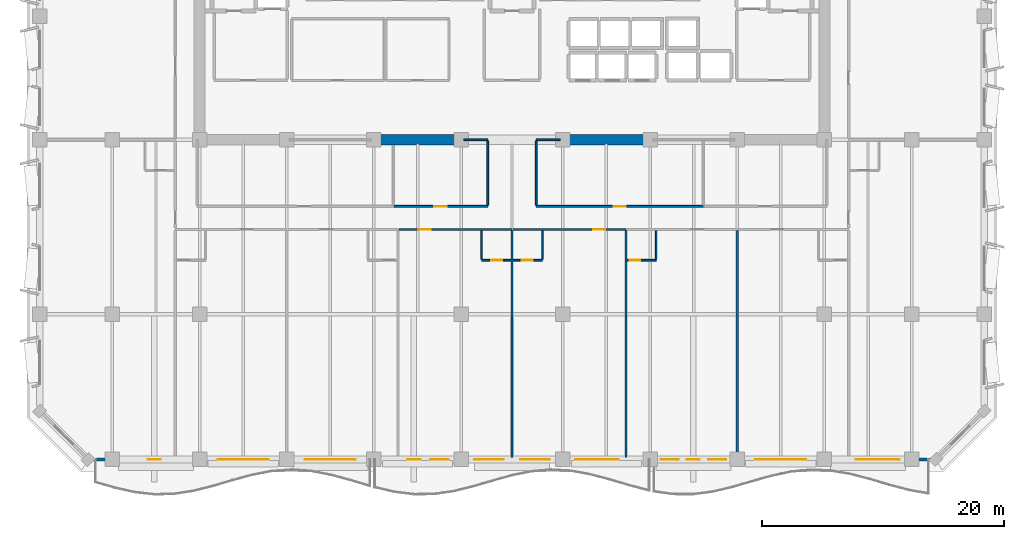
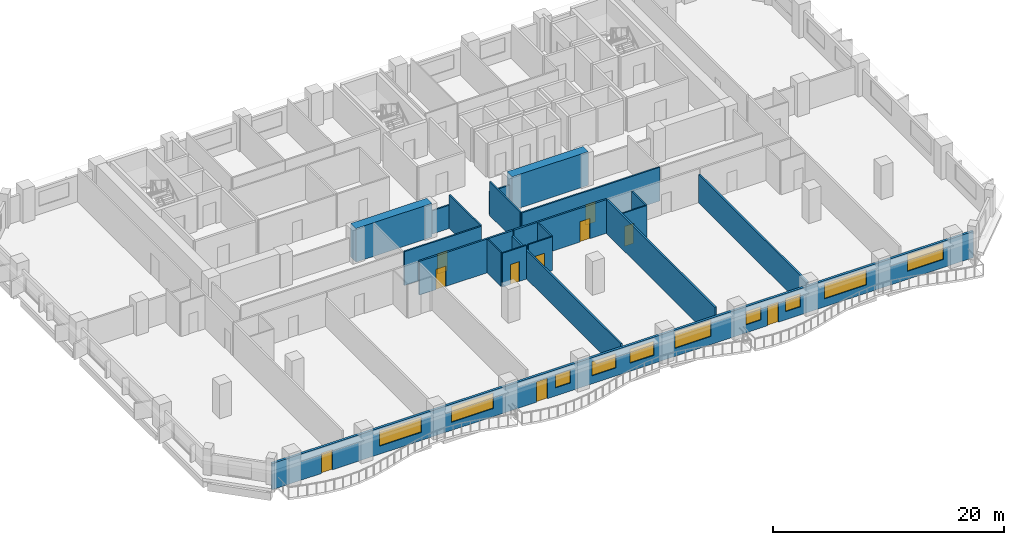
# One storey, part 5 of 14: 20 walls, 10 doors, 10 windows, 20 openings.
"""IFC4 building model written with IfcOpenShell, lengths in metres."""

from ifc_helpers import new_model, si_unit, direction, frame, frame_2d, origin, place, context, subcontext, project, spatial, rectangle, extrude, material, layer, layer_set, type_object, element, fill, save


model = new_model("IFC4")

# Units and contexts
model_context = context("Model", 3, precision=1e-05, world=origin(), true_north=direction((0.0, 1.0)))
body_context = subcontext(model_context, "Body", "Model", "MODEL_VIEW")
ifc_project = project(units=[si_unit("LENGTHUNIT", "METRE"), si_unit("AREAUNIT", "SQUARE_METRE"), si_unit("VOLUMEUNIT", "CUBIC_METRE"), si_unit("PLANEANGLEUNIT", "RADIAN"), si_unit("MASSUNIT", "GRAM", prefix="KILO")], contexts=[model_context])

# Site, building, storey
site_placement = place(None, origin())
site = spatial("IfcSite", under=ifc_project, at=site_placement, CompositionType="ELEMENT")
building_placement = place(site_placement, origin())
building = spatial("IfcBuilding", under=site, at=building_placement, Name="Kaelvorn Grand Hotel", CompositionType="ELEMENT")
storey_placement = place(building_placement, frame((0.0, 0.0, 190.14990234375)))
storey = spatial("IfcBuildingStorey", under=building, at=storey_placement, Name="L46", CompositionType="ELEMENT", Elevation=190.14990234375)

# Walls
ifc_material_1 = material(Name="Concrete C60/75", Category="concrete")
ifc_layer_1 = layer(ifc_material_1, 0.89990234375)
ifc_layer_set_1 = layer_set([ifc_layer_1], Name="Concrete C60/75")
wall_type_1 = type_object("IfcWallType", Name="WL-CORE-900-C60", PredefinedType="SHEAR", material=ifc_layer_set_1)
for number, where, z_axis, x_axis, name in (
    (1, (30.39990234375, 29.39990234375, 0.0), (0.0, 0.0, 1.0), (1.0, 0.0, 0.0), "L46 Rear-Core Coupled Shear Pier S2"),
    (2, (46.0, 29.39990234375, 0.0), (0.0, 0.0, 1.0), (1.0, 0.0, 0.0), "L46 Rear-Core Coupled Shear Pier S3"),
):
    element("IfcWall", number, at=place(storey_placement, frame(where, z_axis=z_axis, x_axis=x_axis)), inside=storey, type_object=wall_type_1, Name=name, PredefinedType="SHEAR", context=body_context, shape_type="SweptSolid", body=[
        extrude(rectangle(XDim=7.60009765625, YDim=0.89990234375, at=frame_2d((3.800048828125, 0.0))), origin(), (0.0, 0.0, 1.0), 3.56005859375),
    ])

# Wall, openings, doors, windows
ifc_material_2 = material(Name="Concrete C40/50", Category="concrete")
ifc_layer_2 = layer(ifc_material_2, 0.239990234375)
ifc_layer_set_2 = layer_set([ifc_layer_2], Name="Concrete C40/50")
wall_type_2 = type_object("IfcWallType", Name="WL-EXT-240-C40", PredefinedType="SOLIDWALL", material=ifc_layer_set_2)
wall_1_placement = place(storey_placement, frame((7.0, 3.0, 0.0), z_axis=(0.0, 0.0, 1.0), x_axis=(1.0, 0.0, 0.0)))
wall_1 = element("IfcWall", 3, at=wall_1_placement, inside=storey, type_object=wall_type_2, Name="L46 Exterior Architectural Concrete Wall 01", PredefinedType="SOLIDWALL", context=body_context, shape_type="SweptSolid", body=[
    extrude(rectangle(XDim=70.0, YDim=0.239990234375, at=frame_2d((35.0, 0.0))), origin(), (0.0, 0.0, 1.0), 2.760009765625),
])
opening_1_placement = place(wall_1_placement, frame((4.906982421875, 0.0, 0.0)))
opening_1 = element("IfcOpeningElement", 4, at=opening_1_placement, cuts=wall_1, Name="Opening DE2", PredefinedType="OPENING", context=body_context, shape_type="SweptSolid", body=[
    extrude(rectangle(XDim=1.10009765625, YDim=2.14990234375, at=frame_2d((0.550048828125, 1.074951171875))), frame((0.0, 0.1298828125, 0.0), z_axis=(0.0, -1.0, 0.0), x_axis=(1.0, 0.0, 0.0)), (0.0, 0.0, 1.0), 0.260009765625),
])
opening_2_placement = place(wall_1_placement, frame((26.354736328125, 0.0, 0.0)))
opening_2 = element("IfcOpeningElement", 5, at=opening_2_placement, cuts=wall_1, Name="Opening DE2", PredefinedType="OPENING", context=body_context, shape_type="SweptSolid", body=[
    extrude(rectangle(XDim=1.10009765625, YDim=2.14990234375, at=frame_2d((0.550048828125, 1.074951171875))), frame((0.0, 0.1298828125, 0.0), z_axis=(0.0, -1.0, 0.0), x_axis=(1.0, 0.0, 0.0)), (0.0, 0.0, 1.0), 0.260009765625),
])
opening_3_placement = place(wall_1_placement, frame((49.42138671875, 0.0, 0.0)))
opening_3 = element("IfcOpeningElement", 6, at=opening_3_placement, cuts=wall_1, Name="Opening DE2", PredefinedType="OPENING", context=body_context, shape_type="SweptSolid", body=[
    extrude(rectangle(XDim=1.10009765625, YDim=2.14990234375, at=frame_2d((0.550048828125, 1.074951171875))), frame((0.0, 0.1298828125, 0.0), z_axis=(0.0, -1.0, 0.0), x_axis=(1.0, 0.0, 0.0)), (0.0, 0.0, 1.0), 0.260009765625),
])
opening_4_placement = place(wall_1_placement, frame((10.699951171875, 0.0, 0.85009765625)))
opening_4 = element("IfcOpeningElement", 7, at=opening_4_placement, cuts=wall_1, Name="Opening W2", PredefinedType="OPENING", context=body_context, shape_type="SweptSolid", body=[
    extrude(rectangle(XDim=4.199951171875, YDim=1.64990234375, at=frame_2d((2.10009765625, 0.824951171875))), frame((0.0, 0.1298828125, 0.0), z_axis=(0.0, -1.0, 0.0), x_axis=(1.0, 0.0, 0.0)), (0.0, 0.0, 1.0), 0.260009765625),
])
opening_5_placement = place(wall_1_placement, frame((17.89990234375, 0.0, 0.85009765625)))
opening_5 = element("IfcOpeningElement", 8, at=opening_5_placement, cuts=wall_1, Name="Opening W2", PredefinedType="OPENING", context=body_context, shape_type="SweptSolid", body=[
    extrude(rectangle(XDim=4.199951171875, YDim=1.64990234375, at=frame_2d((2.10009765625, 0.824951171875))), frame((0.0, 0.1298828125, 0.0), z_axis=(0.0, -1.0, 0.0), x_axis=(1.0, 0.0, 0.0)), (0.0, 0.0, 1.0), 0.260009765625),
])
opening_6_placement = place(wall_1_placement, frame((28.262451171875, 0.0, 0.85009765625)))
opening_6 = element("IfcOpeningElement", 9, at=opening_6_placement, cuts=wall_1, Name="Opening W10", PredefinedType="OPENING", context=body_context, shape_type="SweptSolid", body=[
    extrude(rectangle(XDim=1.5, YDim=1.39990234375, at=frame_2d((0.75, 0.699951171875))), frame((0.0, 0.1298828125, 0.0), z_axis=(0.0, -1.0, 0.0), x_axis=(1.0, 0.0, 0.0)), (0.0, 0.0, 1.0), 0.260009765625),
])
opening_7_placement = place(wall_1_placement, frame((31.89990234375, 0.0, 0.85009765625)))
opening_7 = element("IfcOpeningElement", 10, at=opening_7_placement, cuts=wall_1, Name="Opening W6", PredefinedType="OPENING", context=body_context, shape_type="SweptSolid", body=[
    extrude(rectangle(XDim=2.39990234375, YDim=1.5, at=frame_2d((1.199951171875, 0.75))), frame((0.0, 0.1298828125, 0.0), z_axis=(0.0, -1.0, 0.0), x_axis=(1.0, 0.0, 0.0)), (0.0, 0.0, 1.0), 0.260009765625),
])
opening_8_placement = place(wall_1_placement, frame((35.699951171875, 0.0, 0.85009765625)))
opening_8 = element("IfcOpeningElement", 11, at=opening_8_placement, cuts=wall_1, Name="Opening W6", PredefinedType="OPENING", context=body_context, shape_type="SweptSolid", body=[
    extrude(rectangle(XDim=2.39990234375, YDim=1.5, at=frame_2d((1.199951171875, 0.75))), frame((0.0, 0.1298828125, 0.0), z_axis=(0.0, -1.0, 0.0), x_axis=(1.0, 0.0, 0.0)), (0.0, 0.0, 1.0), 0.260009765625),
])
opening_9_placement = place(wall_1_placement, frame((40.20458984375, 0.0, 0.85009765625)))
opening_9 = element("IfcOpeningElement", 12, at=opening_9_placement, cuts=wall_1, Name="Opening W3", PredefinedType="OPENING", context=body_context, shape_type="SweptSolid", body=[
    extrude(rectangle(XDim=3.60009765625, YDim=1.75, at=frame_2d((1.800048828125, 0.875))), frame((0.0, 0.1298828125, 0.0), z_axis=(0.0, -1.0, 0.0), x_axis=(1.0, 0.0, 0.0)), (0.0, 0.0, 1.0), 0.260009765625),
])
opening_10_placement = place(wall_1_placement, frame((47.275634765625, 0.0, 0.85009765625)))
opening_10 = element("IfcOpeningElement", 13, at=opening_10_placement, cuts=wall_1, Name="Opening W10", PredefinedType="OPENING", context=body_context, shape_type="SweptSolid", body=[
    extrude(rectangle(XDim=1.5, YDim=1.39990234375, at=frame_2d((0.75, 0.699951171875))), frame((0.0, 0.1298828125, 0.0), z_axis=(0.0, -1.0, 0.0), x_axis=(1.0, 0.0, 0.0)), (0.0, 0.0, 1.0), 0.260009765625),
])
opening_11_placement = place(wall_1_placement, frame((51.19580078125, 0.0, 0.85009765625)))
opening_11 = element("IfcOpeningElement", 14, at=opening_11_placement, cuts=wall_1, Name="Opening W10", PredefinedType="OPENING", context=body_context, shape_type="SweptSolid", body=[
    extrude(rectangle(XDim=1.5, YDim=1.39990234375, at=frame_2d((0.75, 0.699951171875))), frame((0.0, 0.1298828125, 0.0), z_axis=(0.0, -1.0, 0.0), x_axis=(1.0, 0.0, 0.0)), (0.0, 0.0, 1.0), 0.260009765625),
])
opening_12_placement = place(wall_1_placement, frame((55.10009765625, 0.0, 0.85009765625)))
opening_12 = element("IfcOpeningElement", 15, at=opening_12_placement, cuts=wall_1, Name="Opening W2", PredefinedType="OPENING", context=body_context, shape_type="SweptSolid", body=[
    extrude(rectangle(XDim=4.199951171875, YDim=1.64990234375, at=frame_2d((2.10009765625, 0.824951171875))), frame((0.0, 0.1298828125, 0.0), z_axis=(0.0, -1.0, 0.0), x_axis=(1.0, 0.0, 0.0)), (0.0, 0.0, 1.0), 0.260009765625),
])
opening_13_placement = place(wall_1_placement, frame((63.39990234375, 0.0, 0.85009765625)))
opening_13 = element("IfcOpeningElement", 16, at=opening_13_placement, cuts=wall_1, Name="Opening W3", PredefinedType="OPENING", context=body_context, shape_type="SweptSolid", body=[
    extrude(rectangle(XDim=3.60009765625, YDim=1.75, at=frame_2d((1.800048828125, 0.875))), frame((0.0, 0.1298828125, 0.0), z_axis=(0.0, -1.0, 0.0), x_axis=(1.0, 0.0, 0.0)), (0.0, 0.0, 1.0), 0.260009765625),
])
ifc_material_3 = material(Name="Anodised Aluminium", Category="aluminium")
door_type_1 = type_object("IfcDoorType", Name="DR-EXT-BALC-1100x2150", OperationType="NOTDEFINED", PredefinedType="DOOR", material=ifc_material_3)
door_1_placement = place(opening_1_placement, origin())
door_1 = element("IfcDoor", 17, at=door_1_placement, inside=storey, type_object=door_type_1, Name="L46 Scalloped Balcony Glazed Door DE2-1", OperationType="SINGLE_SWING_LEFT", OverallHeight=2.14990234375, OverallWidth=1.10009765625, PredefinedType="DOOR", context=body_context, shape_type="SweptSolid", body=[
    extrude(rectangle(XDim=1.10009765625, YDim=2.14990234375, at=frame_2d((0.550048828125, 1.074951171875))), frame((0.0, 0.02490234375, 0.0), z_axis=(0.0, -1.0, 0.0), x_axis=(1.0, 0.0, 0.0)), (0.0, 0.0, 1.0), 0.050048828125),
])
fill(opening_1, door_1)
door_2_placement = place(opening_2_placement, origin())
door_2 = element("IfcDoor", 18, at=door_2_placement, inside=storey, type_object=door_type_1, Name="L46 Scalloped Balcony Glazed Door DE2-2", OperationType="SINGLE_SWING_RIGHT", OverallHeight=2.14990234375, OverallWidth=1.10009765625, PredefinedType="DOOR", context=body_context, shape_type="SweptSolid", body=[
    extrude(rectangle(XDim=1.10009765625, YDim=2.14990234375, at=frame_2d((0.550048828125, 1.074951171875))), frame((0.0, 0.02490234375, 0.0), z_axis=(0.0, -1.0, 0.0), x_axis=(1.0, 0.0, 0.0)), (0.0, 0.0, 1.0), 0.050048828125),
])
fill(opening_2, door_2)
door_3_placement = place(opening_3_placement, origin())
door_3 = element("IfcDoor", 19, at=door_3_placement, inside=storey, type_object=door_type_1, Name="L46 Scalloped Balcony Glazed Door DE2-3", OperationType="SINGLE_SWING_LEFT", OverallHeight=2.14990234375, OverallWidth=1.10009765625, PredefinedType="DOOR", context=body_context, shape_type="SweptSolid", body=[
    extrude(rectangle(XDim=1.10009765625, YDim=2.14990234375, at=frame_2d((0.550048828125, 1.074951171875))), frame((0.0, 0.02490234375, 0.0), z_axis=(0.0, -1.0, 0.0), x_axis=(1.0, 0.0, 0.0)), (0.0, 0.0, 1.0), 0.050048828125),
])
fill(opening_3, door_3)
ifc_material_4 = material(Name="Laminated Low-E Glass", Category="glass")
window_type_1 = type_object("IfcWindowType", Name="WIN-COR-1500x1400", PartitioningType="SINGLE_PANEL", PredefinedType="WINDOW", material=ifc_material_4)
window_1_placement = place(opening_6_placement, origin())
window_1 = element("IfcWindow", 20, at=window_1_placement, inside=storey, type_object=window_type_1, Name="L46 South Guestroom Ribbon Window SR03", OverallHeight=1.39990234375, OverallWidth=1.5, PartitioningType="SINGLE_PANEL", PredefinedType="WINDOW", context=body_context, shape_type="SweptSolid", body=[
    extrude(rectangle(XDim=1.5, YDim=1.39990234375, at=frame_2d((0.75, 0.699951171875))), frame((0.0, 0.030029296875, 0.0), z_axis=(0.0, -1.0, 0.0), x_axis=(1.0, 0.0, 0.0)), (0.0, 0.0, 1.0), 0.06005859375),
])
fill(opening_6, window_1)
window_2_placement = place(opening_10_placement, origin())
window_2 = element("IfcWindow", 21, at=window_2_placement, inside=storey, type_object=window_type_1, Name="L46 South Guestroom Ribbon Window SR07", OverallHeight=1.39990234375, OverallWidth=1.5, PartitioningType="SINGLE_PANEL", PredefinedType="WINDOW", context=body_context, shape_type="SweptSolid", body=[
    extrude(rectangle(XDim=1.5, YDim=1.39990234375, at=frame_2d((0.75, 0.699951171875))), frame((0.0, 0.030029296875, 0.0), z_axis=(0.0, -1.0, 0.0), x_axis=(1.0, 0.0, 0.0)), (0.0, 0.0, 1.0), 0.06005859375),
])
fill(opening_10, window_2)
window_3_placement = place(opening_11_placement, origin())
window_3 = element("IfcWindow", 22, at=window_3_placement, inside=storey, type_object=window_type_1, Name="L46 South Guestroom Ribbon Window SR08", OverallHeight=1.39990234375, OverallWidth=1.5, PartitioningType="SINGLE_PANEL", PredefinedType="WINDOW", context=body_context, shape_type="SweptSolid", body=[
    extrude(rectangle(XDim=1.5, YDim=1.39990234375, at=frame_2d((0.75, 0.699951171875))), frame((0.0, 0.030029296875, 0.0), z_axis=(0.0, -1.0, 0.0), x_axis=(1.0, 0.0, 0.0)), (0.0, 0.0, 1.0), 0.06005859375),
])
fill(opening_11, window_3)
window_type_2 = type_object("IfcWindowType", Name="WIN-NTH-2400x1500", PartitioningType="SINGLE_PANEL", PredefinedType="WINDOW", material=ifc_material_4)
window_4_placement = place(opening_7_placement, origin())
window_4 = element("IfcWindow", 23, at=window_4_placement, inside=storey, type_object=window_type_2, Name="L46 South Guestroom Ribbon Window SR04", OverallHeight=1.5, OverallWidth=2.39990234375, PartitioningType="SINGLE_PANEL", PredefinedType="WINDOW", context=body_context, shape_type="SweptSolid", body=[
    extrude(rectangle(XDim=2.39990234375, YDim=1.5, at=frame_2d((1.199951171875, 0.75))), frame((0.0, 0.030029296875, 0.0), z_axis=(0.0, -1.0, 0.0), x_axis=(1.0, 0.0, 0.0)), (0.0, 0.0, 1.0), 0.06005859375),
])
fill(opening_7, window_4)
window_5_placement = place(opening_8_placement, origin())
window_5 = element("IfcWindow", 24, at=window_5_placement, inside=storey, type_object=window_type_2, Name="L46 South Guestroom Ribbon Window SR05", OverallHeight=1.5, OverallWidth=2.39990234375, PartitioningType="SINGLE_PANEL", PredefinedType="WINDOW", context=body_context, shape_type="SweptSolid", body=[
    extrude(rectangle(XDim=2.39990234375, YDim=1.5, at=frame_2d((1.199951171875, 0.75))), frame((0.0, 0.030029296875, 0.0), z_axis=(0.0, -1.0, 0.0), x_axis=(1.0, 0.0, 0.0)), (0.0, 0.0, 1.0), 0.06005859375),
])
fill(opening_8, window_5)
window_type_3 = type_object("IfcWindowType", Name="WIN-RIB-3600x1750", PartitioningType="SINGLE_PANEL", PredefinedType="WINDOW", material=ifc_material_4)
window_6_placement = place(opening_9_placement, origin())
window_6 = element("IfcWindow", 25, at=window_6_placement, inside=storey, type_object=window_type_3, Name="L46 South Guestroom Ribbon Window SR06", OverallHeight=1.75, OverallWidth=3.60009765625, PartitioningType="SINGLE_PANEL", PredefinedType="WINDOW", context=body_context, shape_type="SweptSolid", body=[
    extrude(rectangle(XDim=3.60009765625, YDim=1.75, at=frame_2d((1.800048828125, 0.875))), frame((0.0, 0.030029296875, 0.0), z_axis=(0.0, -1.0, 0.0), x_axis=(1.0, 0.0, 0.0)), (0.0, 0.0, 1.0), 0.06005859375),
])
fill(opening_9, window_6)
window_7_placement = place(opening_13_placement, origin())
window_7 = element("IfcWindow", 26, at=window_7_placement, inside=storey, type_object=window_type_3, Name="L46 South Guestroom Ribbon Window SR10", OverallHeight=1.75, OverallWidth=3.60009765625, PartitioningType="SINGLE_PANEL", PredefinedType="WINDOW", context=body_context, shape_type="SweptSolid", body=[
    extrude(rectangle(XDim=3.60009765625, YDim=1.75, at=frame_2d((1.800048828125, 0.875))), frame((0.0, 0.030029296875, 0.0), z_axis=(0.0, -1.0, 0.0), x_axis=(1.0, 0.0, 0.0)), (0.0, 0.0, 1.0), 0.06005859375),
])
fill(opening_13, window_7)
window_type_4 = type_object("IfcWindowType", Name="WIN-RIB-4200x1650", PartitioningType="SINGLE_PANEL", PredefinedType="WINDOW", material=ifc_material_4)
window_8_placement = place(opening_4_placement, origin())
window_8 = element("IfcWindow", 27, at=window_8_placement, inside=storey, type_object=window_type_4, Name="L46 South Guestroom Ribbon Window SR01", OverallHeight=1.64990234375, OverallWidth=4.199951171875, PartitioningType="SINGLE_PANEL", PredefinedType="WINDOW", context=body_context, shape_type="SweptSolid", body=[
    extrude(rectangle(XDim=4.199951171875, YDim=1.64990234375, at=frame_2d((2.10009765625, 0.824951171875))), frame((0.0, 0.030029296875, 0.0), z_axis=(0.0, -1.0, 0.0), x_axis=(1.0, 0.0, 0.0)), (0.0, 0.0, 1.0), 0.06005859375),
])
fill(opening_4, window_8)
window_9_placement = place(opening_5_placement, origin())
window_9 = element("IfcWindow", 28, at=window_9_placement, inside=storey, type_object=window_type_4, Name="L46 South Guestroom Ribbon Window SR02", OverallHeight=1.64990234375, OverallWidth=4.199951171875, PartitioningType="SINGLE_PANEL", PredefinedType="WINDOW", context=body_context, shape_type="SweptSolid", body=[
    extrude(rectangle(XDim=4.199951171875, YDim=1.64990234375, at=frame_2d((2.10009765625, 0.824951171875))), frame((0.0, 0.030029296875, 0.0), z_axis=(0.0, -1.0, 0.0), x_axis=(1.0, 0.0, 0.0)), (0.0, 0.0, 1.0), 0.06005859375),
])
fill(opening_5, window_9)
window_10_placement = place(opening_12_placement, origin())
window_10 = element("IfcWindow", 29, at=window_10_placement, inside=storey, type_object=window_type_4, Name="L46 South Guestroom Ribbon Window SR09", OverallHeight=1.64990234375, OverallWidth=4.199951171875, PartitioningType="SINGLE_PANEL", PredefinedType="WINDOW", context=body_context, shape_type="SweptSolid", body=[
    extrude(rectangle(XDim=4.199951171875, YDim=1.64990234375, at=frame_2d((2.10009765625, 0.824951171875))), frame((0.0, 0.030029296875, 0.0), z_axis=(0.0, -1.0, 0.0), x_axis=(1.0, 0.0, 0.0)), (0.0, 0.0, 1.0), 0.06005859375),
])
fill(opening_12, window_10)

# Wall, opening, door
ifc_material_5 = material(Name="Moisture-Resistant Tile & Stud Board")
ifc_layer_3 = layer(ifc_material_5, 0.125)
ifc_layer_set_3 = layer_set([ifc_layer_3], Name="Moisture-Resistant Tile & Stud Board")
wall_type_3 = type_object("IfcWallType", Name="WL-PART-125-WET", PredefinedType="PARTITIONING", material=ifc_layer_set_3)
wall_2_placement = place(storey_placement, frame((39.5, 19.449951171875, 0.0), z_axis=(0.0, 0.0, 1.0), x_axis=(1.0, 0.0, 0.0)))
wall_2 = element("IfcWall", 30, at=wall_2_placement, inside=storey, type_object=wall_type_3, Name="L46 En-suite Bathroom L46-03 S Partition", PredefinedType="PARTITIONING", context=body_context, shape_type="SweptSolid", body=[
    extrude(rectangle(XDim=2.405029296875, YDim=0.125, at=frame_2d((1.20263671875, 0.0))), origin(), (0.0, 0.0, 1.0), 3.56005859375),
])
opening_14_placement = place(wall_2_placement, frame((0.800048828125, 0.0, 0.0)))
opening_14 = element("IfcOpeningElement", 31, at=opening_14_placement, cuts=wall_2, Name="Opening DI4", PredefinedType="OPENING", context=body_context, shape_type="SweptSolid", body=[
    extrude(rectangle(XDim=0.89990234375, YDim=2.10009765625, at=frame_2d((0.449951171875, 1.050048828125))), frame((0.0, 0.072509765625, 0.0), z_axis=(0.0, -1.0, 0.0), x_axis=(1.0, 0.0, 0.0)), (0.0, 0.0, 1.0), 0.14501953125),
])
ifc_material_6 = material(Name="Timber Veneer Leaf", Category="wood")
door_type_2 = type_object("IfcDoorType", Name="DR-INT-BATH-900x2100", OperationType="NOTDEFINED", PredefinedType="DOOR", material=ifc_material_6)
door_4_placement = place(opening_14_placement, origin())
door_4 = element("IfcDoor", 32, at=door_4_placement, inside=storey, type_object=door_type_2, Name="L46 En-suite Bathroom L46-03 Door", OperationType="SINGLE_SWING_RIGHT", OverallHeight=2.10009765625, OverallWidth=0.89990234375, PredefinedType="DOOR", context=body_context, shape_type="SweptSolid", body=[
    extrude(rectangle(XDim=0.89990234375, YDim=2.10009765625, at=frame_2d((0.449951171875, 1.050048828125))), frame((0.0, 0.02490234375, 0.0), z_axis=(0.0, -1.0, 0.0), x_axis=(1.0, 0.0, 0.0)), (0.0, 0.0, 1.0), 0.050048828125),
])
fill(opening_14, door_4)

# Wall
wall_3_placement = place(storey_placement, frame((39.5, 19.517578125, 0.0), z_axis=(0.0, 0.0, 1.0), x_axis=(0.0, 1.0, 0.0)))
element("IfcWall", 33, at=wall_3_placement, inside=storey, type_object=wall_type_3, Name="L46 En-suite Bathroom L46-03 W Partition", PredefinedType="PARTITIONING", context=body_context, shape_type="SweptSolid", body=[
    extrude(rectangle(XDim=2.387451171875, YDim=0.125, at=frame_2d((1.19384765625, 0.0))), origin(), (0.0, 0.0, 1.0), 3.56005859375),
])

# Wall, opening, door
wall_4_placement = place(storey_placement, frame((42.094970703125, 19.449951171875, 0.0), z_axis=(0.0, 0.0, 1.0), x_axis=(1.0, 0.0, 0.0)))
wall_4 = element("IfcWall", 34, at=wall_4_placement, inside=storey, type_object=wall_type_3, Name="L46 En-suite Bathroom L46-04 S Partition", PredefinedType="PARTITIONING", context=body_context, shape_type="SweptSolid", body=[
    extrude(rectangle(XDim=2.405029296875, YDim=0.125, at=frame_2d((1.20263671875, 0.0))), origin(), (0.0, 0.0, 1.0), 3.56005859375),
])
opening_15_placement = place(wall_4_placement, frame((0.705078125, 0.0, 0.0)))
opening_15 = element("IfcOpeningElement", 35, at=opening_15_placement, cuts=wall_4, Name="Opening DI4", PredefinedType="OPENING", context=body_context, shape_type="SweptSolid", body=[
    extrude(rectangle(XDim=0.89990234375, YDim=2.10009765625, at=frame_2d((0.449951171875, 1.050048828125))), frame((0.0, 0.072509765625, 0.0), z_axis=(0.0, -1.0, 0.0), x_axis=(1.0, 0.0, 0.0)), (0.0, 0.0, 1.0), 0.14501953125),
])
door_5_placement = place(opening_15_placement, origin())
door_5 = element("IfcDoor", 36, at=door_5_placement, inside=storey, type_object=door_type_2, Name="L46 En-suite Bathroom L46-04 Door", OperationType="SINGLE_SWING_RIGHT", OverallHeight=2.10009765625, OverallWidth=0.89990234375, PredefinedType="DOOR", context=body_context, shape_type="SweptSolid", body=[
    extrude(rectangle(XDim=0.89990234375, YDim=2.10009765625, at=frame_2d((0.449951171875, 1.050048828125))), frame((0.0, 0.02490234375, 0.0), z_axis=(0.0, -1.0, 0.0), x_axis=(1.0, 0.0, 0.0)), (0.0, 0.0, 1.0), 0.050048828125),
])
fill(opening_15, door_5)

# Wall
wall_5_placement = place(storey_placement, frame((44.5, 19.517578125, 0.0), z_axis=(0.0, 0.0, 1.0), x_axis=(0.0, 1.0, 0.0)))
element("IfcWall", 37, at=wall_5_placement, inside=storey, type_object=wall_type_3, Name="L46 En-suite Bathroom L46-04 E Partition", PredefinedType="PARTITIONING", context=body_context, shape_type="SweptSolid", body=[
    extrude(rectangle(XDim=2.387451171875, YDim=0.125, at=frame_2d((1.19384765625, 0.0))), origin(), (0.0, 0.0, 1.0), 3.56005859375),
])

# Wall, opening, door
wall_6_placement = place(storey_placement, frame((51.504150390625, 19.449951171875, 0.0), z_axis=(0.0, 0.0, 1.0), x_axis=(1.0, 0.0, 0.0)))
wall_6 = element("IfcWall", 38, at=wall_6_placement, inside=storey, type_object=wall_type_3, Name="L46 En-suite Bathroom L46-05 S Partition", PredefinedType="PARTITIONING", context=body_context, shape_type="SweptSolid", body=[
    extrude(rectangle(XDim=2.405029296875, YDim=0.125, at=frame_2d((1.20263671875, 0.0))), origin(), (0.0, 0.0, 1.0), 3.56005859375),
])
opening_16_placement = place(wall_6_placement, frame((0.205078125, 0.0, 0.0)))
opening_16 = element("IfcOpeningElement", 39, at=opening_16_placement, cuts=wall_6, Name="Opening DI4", PredefinedType="OPENING", context=body_context, shape_type="SweptSolid", body=[
    extrude(rectangle(XDim=0.89990234375, YDim=2.10009765625, at=frame_2d((0.449951171875, 1.050048828125))), frame((0.0, 0.072509765625, 0.0), z_axis=(0.0, -1.0, 0.0), x_axis=(1.0, 0.0, 0.0)), (0.0, 0.0, 1.0), 0.14501953125),
])
door_6_placement = place(opening_16_placement, origin())
door_6 = element("IfcDoor", 40, at=door_6_placement, inside=storey, type_object=door_type_2, Name="L46 En-suite Bathroom L46-05 Door", OperationType="SINGLE_SWING_RIGHT", OverallHeight=2.10009765625, OverallWidth=0.89990234375, PredefinedType="DOOR", context=body_context, shape_type="SweptSolid", body=[
    extrude(rectangle(XDim=0.89990234375, YDim=2.10009765625, at=frame_2d((0.449951171875, 1.050048828125))), frame((0.0, 0.02490234375, 0.0), z_axis=(0.0, -1.0, 0.0), x_axis=(1.0, 0.0, 0.0)), (0.0, 0.0, 1.0), 0.050048828125),
])
fill(opening_16, door_6)

# Wall
wall_7_placement = place(storey_placement, frame((53.9091796875, 19.517578125, 0.0), z_axis=(0.0, 0.0, 1.0), x_axis=(0.0, 1.0, 0.0)))
element("IfcWall", 41, at=wall_7_placement, inside=storey, type_object=wall_type_3, Name="L46 En-suite Bathroom L46-05 E Partition", PredefinedType="PARTITIONING", context=body_context, shape_type="SweptSolid", body=[
    extrude(rectangle(XDim=2.387451171875, YDim=0.125, at=frame_2d((1.19384765625, 0.0))), origin(), (0.0, 0.0, 1.0), 3.56005859375),
])

# Wall, opening, door
ifc_material_7 = material(Name="Acoustic Gypsum & Stud Partition")
ifc_layer_4 = layer(ifc_material_7, 0.14990234375)
ifc_layer_set_4 = layer_set([ifc_layer_4], Name="Acoustic Gypsum & Stud Partition")
wall_type_4 = type_object("IfcWallType", Name="WL-PART-150-EI60", PredefinedType="PARTITIONING", material=ifc_layer_set_4)
wall_8_placement = place(storey_placement, frame((32.280029296875, 23.89990234375, 0.0), z_axis=(0.0, 0.0, 1.0), x_axis=(1.0, 0.0, 0.0)))
wall_8 = element("IfcWall", 42, at=wall_8_placement, inside=storey, type_object=wall_type_4, Name="L46 Pastry & Tea Kitchen S Partition", PredefinedType="PARTITIONING", context=body_context, shape_type="SweptSolid", body=[
    extrude(rectangle(XDim=7.719970703125, YDim=0.14990234375, at=frame_2d((3.85986328125, 0.0))), origin(), (0.0, 0.0, 1.0), 3.56005859375),
])
opening_17_placement = place(wall_8_placement, frame((3.320068359375, 0.0, 0.0)))
opening_17 = element("IfcOpeningElement", 43, at=opening_17_placement, cuts=wall_8, Name="Opening DI3", PredefinedType="OPENING", context=body_context, shape_type="SweptSolid", body=[
    extrude(rectangle(XDim=1.0, YDim=2.14990234375, at=frame_2d((0.5, 1.074951171875))), frame((0.0, 0.0849609375, 0.0), z_axis=(0.0, -1.0, 0.0), x_axis=(1.0, 0.0, 0.0)), (0.0, 0.0, 1.0), 0.169921875),
])
ifc_material_8 = material(Name="Timber Veneer Fire Leaf", Category="wood")
door_type_3 = type_object("IfcDoorType", Name="DR-INT-GUEST-1000x2150", OperationType="NOTDEFINED", PredefinedType="DOOR", material=ifc_material_8)
door_7_placement = place(opening_17_placement, origin())
door_7 = element("IfcDoor", 44, at=door_7_placement, inside=storey, type_object=door_type_3, Name="L46 Pastry & Tea Kitchen Door", OperationType="SINGLE_SWING_RIGHT", OverallHeight=2.14990234375, OverallWidth=1.0, PredefinedType="DOOR", context=body_context, shape_type="SweptSolid", body=[
    extrude(rectangle(XDim=1.0, YDim=2.14990234375, at=frame_2d((0.5, 1.074951171875))), frame((0.0, 0.02490234375, 0.0), z_axis=(0.0, -1.0, 0.0), x_axis=(1.0, 0.0, 0.0)), (0.0, 0.0, 1.0), 0.050048828125),
])
fill(opening_17, door_7)

# Walls
wall_9_placement = place(storey_placement, frame((38.010009765625, 29.39990234375, 0.0), z_axis=(0.0, 0.0, 1.0), x_axis=(1.0, 0.0, 0.0)))
element("IfcWall", 45, at=wall_9_placement, inside=storey, type_object=wall_type_4, Name="L46 Pastry & Tea Kitchen N Partition", PredefinedType="PARTITIONING", context=body_context, shape_type="SweptSolid", body=[
    extrude(rectangle(XDim=1.989990234375, YDim=0.14990234375, at=frame_2d((0.9951171875, 0.0))), origin(), (0.0, 0.0, 1.0), 2.460205078125),
])
wall_10_placement = place(storey_placement, frame((40.0, 23.97998046875, 0.0), z_axis=(0.0, 0.0, 1.0), x_axis=(0.0, 1.0, 0.0)))
element("IfcWall", 46, at=wall_10_placement, inside=storey, type_object=wall_type_4, Name="L46 Pastry & Tea Kitchen E Partition", PredefinedType="PARTITIONING", context=body_context, shape_type="SweptSolid", body=[
    extrude(rectangle(XDim=5.340087890625, YDim=0.14990234375, at=frame_2d((2.669921875, 0.0))), origin(), (0.0, 0.0, 1.0), 3.56005859375),
])

# Wall, opening, door
wall_11_placement = place(storey_placement, frame((44.0, 23.89990234375, 0.0), z_axis=(0.0, 0.0, 1.0), x_axis=(1.0, 0.0, 0.0)))
wall_11 = element("IfcWall", 47, at=wall_11_placement, inside=storey, type_object=wall_type_4, Name="L46 Family Sitting Room S Partition", PredefinedType="PARTITIONING", context=body_context, shape_type="SweptSolid", body=[
    extrude(rectangle(XDim=13.800048828125, YDim=0.14990234375, at=frame_2d((6.89990234375, 0.0))), origin(), (0.0, 0.0, 1.0), 3.56005859375),
])
opening_18_placement = place(wall_11_placement, frame((6.39990234375, 0.0, 0.0)))
opening_18 = element("IfcOpeningElement", 48, at=opening_18_placement, cuts=wall_11, Name="Opening DI3", PredefinedType="OPENING", context=body_context, shape_type="SweptSolid", body=[
    extrude(rectangle(XDim=1.0, YDim=2.14990234375, at=frame_2d((0.5, 1.074951171875))), frame((0.0, 0.0849609375, 0.0), z_axis=(0.0, -1.0, 0.0), x_axis=(1.0, 0.0, 0.0)), (0.0, 0.0, 1.0), 0.169921875),
])
door_8_placement = place(opening_18_placement, origin())
door_8 = element("IfcDoor", 49, at=door_8_placement, inside=storey, type_object=door_type_3, Name="L46 Family Sitting Room Door", OperationType="SINGLE_SWING_LEFT", OverallHeight=2.14990234375, OverallWidth=1.0, PredefinedType="DOOR", context=body_context, shape_type="SweptSolid", body=[
    extrude(rectangle(XDim=1.0, YDim=2.14990234375, at=frame_2d((0.5, 1.074951171875))), frame((0.0, 0.02490234375, 0.0), z_axis=(0.0, -1.0, 0.0), x_axis=(1.0, 0.0, 0.0)), (0.0, 0.0, 1.0), 0.050048828125),
])
fill(opening_18, door_8)

# Walls
wall_12_placement = place(storey_placement, frame((44.0, 29.39990234375, 0.0), z_axis=(0.0, 0.0, 1.0), x_axis=(1.0, 0.0, 0.0)))
element("IfcWall", 50, at=wall_12_placement, inside=storey, type_object=wall_type_4, Name="L46 Family Sitting Room N Partition (1)", PredefinedType="PARTITIONING", context=body_context, shape_type="SweptSolid", body=[
    extrude(rectangle(XDim=1.989990234375, YDim=0.14990234375, at=frame_2d((0.9951171875, 0.0))), origin(), (0.0, 0.0, 1.0), 2.460205078125),
])
wall_13_placement = place(storey_placement, frame((44.0, 23.97998046875, 0.0), z_axis=(0.0, 0.0, 1.0), x_axis=(0.0, 1.0, 0.0)))
element("IfcWall", 51, at=wall_13_placement, inside=storey, type_object=wall_type_4, Name="L46 Family Sitting Room W Partition", PredefinedType="PARTITIONING", context=body_context, shape_type="SweptSolid", body=[
    extrude(rectangle(XDim=5.340087890625, YDim=0.14990234375, at=frame_2d((2.669921875, 0.0))), origin(), (0.0, 0.0, 1.0), 3.56005859375),
])

# Wall, opening, door
ifc_layer_5 = layer(ifc_material_7, 0.179931640625)
ifc_layer_set_5 = layer_set([ifc_layer_5], Name="Acoustic Gypsum & Stud Partition")
wall_type_5 = type_object("IfcWallType", Name="WL-PART-180-EI60", PredefinedType="PARTITIONING", material=ifc_layer_set_5)
wall_14_placement = place(storey_placement, frame((32.685791015625, 22.0, 0.0), z_axis=(0.0, 0.0, 1.0), x_axis=(1.0, 0.0, 0.0)))
wall_14 = element("IfcWall", 52, at=wall_14_placement, inside=storey, type_object=wall_type_5, Name="L46 Mid-Rise Signature Suite L46-03 N Partition", PredefinedType="PARTITIONING", context=body_context, shape_type="SweptSolid", body=[
    extrude(rectangle(XDim=9.314208984375, YDim=0.179931640625, at=frame_2d((4.6572265625, 0.0))), origin(), (0.0, 0.0, 1.0), 3.56005859375),
])
opening_19_placement = place(wall_14_placement, frame((1.61962890625, 0.0, 0.0)))
opening_19 = element("IfcOpeningElement", 53, at=opening_19_placement, cuts=wall_14, Name="Opening DI3", PredefinedType="OPENING", context=body_context, shape_type="SweptSolid", body=[
    extrude(rectangle(XDim=1.0, YDim=2.14990234375, at=frame_2d((0.5, 1.074951171875))), frame((0.0, 0.10009765625, 0.0), z_axis=(0.0, -1.0, 0.0), x_axis=(1.0, 0.0, 0.0)), (0.0, 0.0, 1.0), 0.199951171875),
])
door_9_placement = place(opening_19_placement, origin())
door_9 = element("IfcDoor", 54, at=door_9_placement, inside=storey, type_object=door_type_3, Name="L46 Mid-Rise Signature Suite L46-03 Door", OperationType="SINGLE_SWING_LEFT", OverallHeight=2.14990234375, OverallWidth=1.0, PredefinedType="DOOR", context=body_context, shape_type="SweptSolid", body=[
    extrude(rectangle(XDim=1.0, YDim=2.14990234375, at=frame_2d((0.5, 1.074951171875))), frame((0.0, 0.02490234375, 0.0), z_axis=(0.0, -1.0, 0.0), x_axis=(1.0, 0.0, 0.0)), (0.0, 0.0, 1.0), 0.050048828125),
])
fill(opening_19, door_9)

# Wall
wall_15_placement = place(storey_placement, frame((42.0, 3.14990234375, 0.0), z_axis=(0.0, 0.0, 1.0), x_axis=(0.0, 1.0, 0.0)))
element("IfcWall", 55, at=wall_15_placement, inside=storey, type_object=wall_type_5, Name="L46 Mid-Rise Signature Suite L46-03 E Partition", PredefinedType="PARTITIONING", context=body_context, shape_type="SweptSolid", body=[
    extrude(rectangle(XDim=18.755126953125, YDim=0.179931640625, at=frame_2d((9.37744140625, 0.0))), origin(), (0.0, 0.0, 1.0), 3.010009765625),
])

# Wall, opening, door
wall_16_placement = place(storey_placement, frame((42.094970703125, 22.0, 0.0), z_axis=(0.0, 0.0, 1.0), x_axis=(1.0, 0.0, 0.0)))
wall_16 = element("IfcWall", 56, at=wall_16_placement, inside=storey, type_object=wall_type_5, Name="L46 Mid-Rise Signature Suite L46-04 N Partition", PredefinedType="PARTITIONING", context=body_context, shape_type="SweptSolid", body=[
    extrude(rectangle(XDim=9.314208984375, YDim=0.179931640625, at=frame_2d((4.6572265625, 0.0))), origin(), (0.0, 0.0, 1.0), 3.56005859375),
])
opening_20_placement = place(wall_16_placement, frame((6.599609375, 0.0, 0.0)))
opening_20 = element("IfcOpeningElement", 57, at=opening_20_placement, cuts=wall_16, Name="Opening DI3", PredefinedType="OPENING", context=body_context, shape_type="SweptSolid", body=[
    extrude(rectangle(XDim=1.0, YDim=2.14990234375, at=frame_2d((0.5, 1.074951171875))), frame((0.0, 0.10009765625, 0.0), z_axis=(0.0, -1.0, 0.0), x_axis=(1.0, 0.0, 0.0)), (0.0, 0.0, 1.0), 0.199951171875),
])
door_10_placement = place(opening_20_placement, origin())
door_10 = element("IfcDoor", 58, at=door_10_placement, inside=storey, type_object=door_type_3, Name="L46 Mid-Rise Signature Suite L46-04 Door", OperationType="SINGLE_SWING_LEFT", OverallHeight=2.14990234375, OverallWidth=1.0, PredefinedType="DOOR", context=body_context, shape_type="SweptSolid", body=[
    extrude(rectangle(XDim=1.0, YDim=2.14990234375, at=frame_2d((0.5, 1.074951171875))), frame((0.0, 0.02490234375, 0.0), z_axis=(0.0, -1.0, 0.0), x_axis=(1.0, 0.0, 0.0)), (0.0, 0.0, 1.0), 0.050048828125),
])
fill(opening_20, door_10)

# Walls
wall_17_placement = place(storey_placement, frame((51.4091796875, 3.14990234375, 0.0), z_axis=(0.0, 0.0, 1.0), x_axis=(0.0, 1.0, 0.0)))
element("IfcWall", 59, at=wall_17_placement, inside=storey, type_object=wall_type_5, Name="L46 Mid-Rise Signature Suite L46-04 E Partition", PredefinedType="PARTITIONING", context=body_context, shape_type="SweptSolid", body=[
    extrude(rectangle(XDim=18.755126953125, YDim=0.179931640625, at=frame_2d((9.37744140625, 0.0))), origin(), (0.0, 0.0, 1.0), 3.56005859375),
])
wall_18_placement = place(storey_placement, frame((60.6044921875, 3.14990234375, 0.0), z_axis=(0.0, 0.0, 1.0), x_axis=(0.0, 1.0, 0.0)))
element("IfcWall", 60, at=wall_18_placement, inside=storey, type_object=wall_type_5, Name="L46 Mid-Rise Signature Suite L46-05 E Partition", PredefinedType="PARTITIONING", context=body_context, shape_type="SweptSolid", body=[
    extrude(rectangle(XDim=18.755126953125, YDim=0.179931640625, at=frame_2d((9.37744140625, 0.0))), origin(), (0.0, 0.0, 1.0), 3.010009765625),
])

save(model, "model.ifc")
